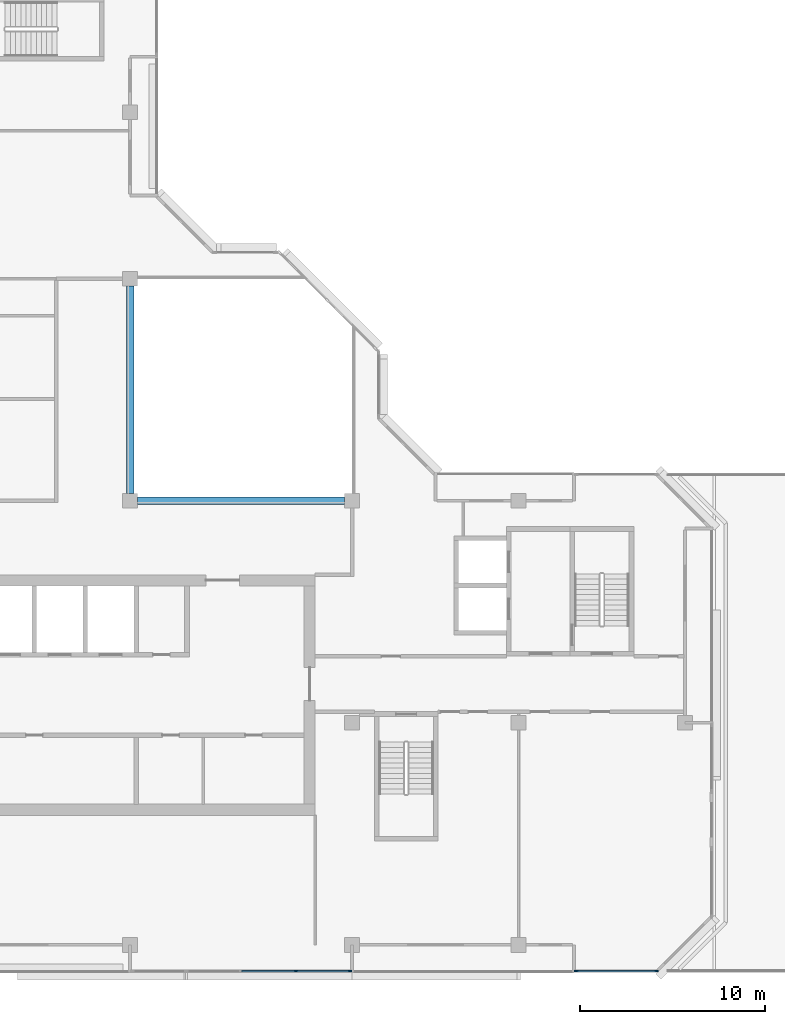
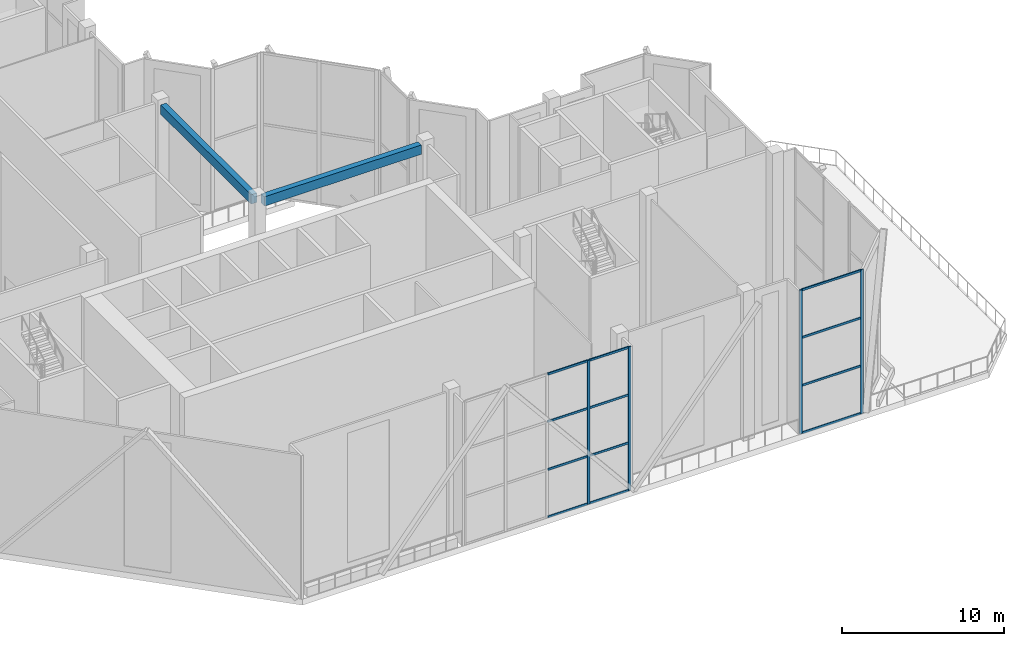
# One storey, part 3 of 16: 16 members, 2 beams, 2 elements without a shape of their own.
"""IFC4 building model written with IfcOpenShell, lengths in metres."""

from ifc_helpers import new_model, si_unit, direction, frame, origin, origin_2d, place, context, subcontext, project, spatial, rectangle, extrude, material, layer, layer_set, material_profile, profile_set, type_object, element, aggregate, save


model = new_model("IFC4")

# Units and contexts
model_context = context("Model", 3, precision=1e-05, world=origin(), true_north=direction((0.0, 1.0)))
body_context = subcontext(model_context, "Body", "Model", "MODEL_VIEW")
ifc_project = project(units=[si_unit("LENGTHUNIT", "METRE"), si_unit("AREAUNIT", "SQUARE_METRE"), si_unit("VOLUMEUNIT", "CUBIC_METRE"), si_unit("PLANEANGLEUNIT", "RADIAN"), si_unit("MASSUNIT", "GRAM", prefix="KILO")], contexts=[model_context])

# Site, building, storey
site_placement = place(None, origin())
site = spatial("IfcSite", under=ifc_project, at=site_placement, CompositionType="ELEMENT")
building_placement = place(site_placement, origin())
building = spatial("IfcBuilding", under=site, at=building_placement, Name="Chenar Terraces", CompositionType="ELEMENT")
storey_placement = place(building_placement, frame((0.0, 0.0, 327.64990234375)))
storey = spatial("IfcBuildingStorey", under=building, at=storey_placement, Name="L77", CompositionType="ELEMENT", Elevation=327.64990234375)

# Beams
ifc_material_1 = material(Name="Concrete C40/50", Category="concrete")
ifc_material_profile_1 = material_profile(ifc_material_1, rectangle(XDim=0.39990234375, YDim=0.699951171875, at=origin_2d()), Name="RC 400 x 700")
ifc_profile_set_1 = profile_set([ifc_material_profile_1], Name="Concrete C40/50")
beam_type = type_object("IfcBeamType", Name="Atrium edge beam 400 x 700 Concrete C40/50", PredefinedType="BEAM", material=ifc_profile_set_1)
for number, where, z_axis, x_axis, name in (
    (1, (24.39990234375, 24.0, 10.5), (1.0, 0.0, 0.0), (0.0, 1.0, 0.0), "Atrium edge beam L78 1"),
    (2, (24.0, 35.60009765625, 10.5), (0.0, -1.0, 0.0), (1.0, 0.0, 0.0), "Atrium edge beam L78 4"),
):
    element("IfcBeam", number, at=place(storey_placement, frame(where, z_axis=z_axis, x_axis=x_axis)), inside=storey, type_object=beam_type, Name=name, PredefinedType="BEAM", context=body_context, shape_type="SweptSolid", body=[
        extrude(rectangle(XDim=0.39990234375, YDim=0.699951171875, at=origin_2d()), origin(), (0.0, 0.0, 1.0), 11.2001953125),
    ])

# Curtain wall, members
ifc_material_2 = material(Name="Aluminium framed glazing", Category="aluminium")
ifc_layer = layer(ifc_material_2, 0.14990234375)
ifc_layer_set = layer_set([ifc_layer], Name="Aluminium framed glazing")
curtain_wall_type = type_object("IfcCurtainWallType", Name="Sky garden curtain wall", PredefinedType="NOTDEFINED", material=ifc_layer_set)
placement = place(storey_placement, origin())
curtain_wall_1 = element("IfcCurtainWall", 3, at=placement, inside=storey, type_object=curtain_wall_type, Name="Sky garden curtain wall", PredefinedType="NOTDEFINED")
ifc_material_3 = material(Name="Aluminium", Category="aluminium")
ifc_material_profile_2 = material_profile(ifc_material_3, rectangle(XDim=0.080078125, YDim=0.199951171875, at=origin_2d()), Name="Sky garden mullion 80 x 200")
ifc_profile_set_2 = profile_set([ifc_material_profile_2], Name="Aluminium")
member_type_1 = type_object("IfcMemberType", Name="Sky garden mullion 80 x 200", PredefinedType="MULLION", material=ifc_profile_set_2)
member_1_placement = place(storey_placement, frame((32.96240234375, -1.425048828125, 0.0), z_axis=(0.0, 0.0, 1.0), x_axis=(0.0, 1.0, 0.0)))
member_1 = element("IfcMember", 4, at=member_1_placement, type_object=member_type_1, Name="CW3-06 mullion 4", PredefinedType="MULLION", context=body_context, shape_type="SweptSolid", body=[
    extrude(rectangle(XDim=0.080078125, YDim=0.199951171875, at=origin_2d()), origin(), (0.0, 0.0, 1.0), 10.85009765625),
])
member_2_placement = place(storey_placement, frame((35.885009765625, -1.425048828125, 0.0), z_axis=(0.0, 0.0, 1.0), x_axis=(0.0, 1.0, 0.0)))
member_2 = element("IfcMember", 5, at=member_2_placement, type_object=member_type_1, Name="CW3-06 mullion 5", PredefinedType="MULLION", context=body_context, shape_type="SweptSolid", body=[
    extrude(rectangle(XDim=0.080078125, YDim=0.199951171875, at=origin_2d()), origin(), (0.0, 0.0, 1.0), 10.85009765625),
])

curtain_wall_2 = element("IfcCurtainWall", 6, at=placement, inside=storey, type_object=curtain_wall_type, Name="Sky garden curtain wall", PredefinedType="NOTDEFINED")
member_3_placement = place(storey_placement, frame((48.114990234375, -1.425048828125, 0.0), z_axis=(0.0, 0.0, 1.0), x_axis=(0.0, 1.0, 0.0)))
member_3 = element("IfcMember", 7, at=member_3_placement, type_object=member_type_1, Name="CW3-07 mullion 1", PredefinedType="MULLION", context=body_context, shape_type="SweptSolid", body=[
    extrude(rectangle(XDim=0.080078125, YDim=0.199951171875, at=origin_2d()), origin(), (0.0, 0.0, 1.0), 10.85009765625),
])
member_4_placement = place(storey_placement, frame((52.4599609375, -1.425048828125, 0.0), z_axis=(0.0, 0.0, 1.0), x_axis=(0.0, 1.0, 0.0)))
member_4 = element("IfcMember", 8, at=member_4_placement, type_object=member_type_1, Name="CW3-07 mullion 2", PredefinedType="MULLION", context=body_context, shape_type="SweptSolid", body=[
    extrude(rectangle(XDim=0.080078125, YDim=0.199951171875, at=origin_2d()), origin(), (0.0, 0.0, 1.0), 10.85009765625),
])

# Member
ifc_material_4 = material(Name="Aluminium", Category="aluminium")
ifc_material_profile_3 = material_profile(ifc_material_4, rectangle(XDim=0.080078125, YDim=0.159912109375, at=origin_2d()), Name="Sky garden transom 80 x 160")
ifc_profile_set_3 = profile_set([ifc_material_profile_3], Name="Aluminium")
member_type_2 = type_object("IfcMemberType", Name="Sky garden transom 80 x 160", PredefinedType="USERDEFINED", material=ifc_profile_set_3)
member_5_placement = place(storey_placement, frame((30.0400390625, -1.425048828125, 0.0400390625), z_axis=(1.0, 0.0, 0.0), x_axis=(0.0, 1.0, 0.0)))
member_5 = element("IfcMember", 9, at=member_5_placement, type_object=member_type_2, Name="CW3-06 transom 3.1", ObjectType="TRANSOM", PredefinedType="USERDEFINED", context=body_context, shape_type="SweptSolid", body=[
    extrude(rectangle(XDim=0.080078125, YDim=0.159912109375, at=origin_2d()), origin(), (0.0, 0.0, 1.0), 2.882568359375),
])

member_6_placement = place(storey_placement, frame((30.0400390625, -1.425048828125, 3.6171875), z_axis=(1.0, 0.0, 0.0), x_axis=(0.0, 1.0, 0.0)))
member_6 = element("IfcMember", 10, at=member_6_placement, type_object=member_type_2, Name="CW3-06 transom 3.2", ObjectType="TRANSOM", PredefinedType="USERDEFINED", context=body_context, shape_type="SweptSolid", body=[
    extrude(rectangle(XDim=0.080078125, YDim=0.159912109375, at=origin_2d()), origin(), (0.0, 0.0, 1.0), 2.882568359375),
])

member_7_placement = place(storey_placement, frame((30.0400390625, -1.425048828125, 7.233154296875), z_axis=(1.0, 0.0, 0.0), x_axis=(0.0, 1.0, 0.0)))
member_7 = element("IfcMember", 11, at=member_7_placement, type_object=member_type_2, Name="CW3-06 transom 3.3", ObjectType="TRANSOM", PredefinedType="USERDEFINED", context=body_context, shape_type="SweptSolid", body=[
    extrude(rectangle(XDim=0.080078125, YDim=0.159912109375, at=origin_2d()), origin(), (0.0, 0.0, 1.0), 2.882568359375),
])

member_8_placement = place(storey_placement, frame((30.0400390625, -1.425048828125, 10.81005859375), z_axis=(1.0, 0.0, 0.0), x_axis=(0.0, 1.0, 0.0)))
member_8 = element("IfcMember", 12, at=member_8_placement, type_object=member_type_2, Name="CW3-06 transom 3.4", ObjectType="TRANSOM", PredefinedType="USERDEFINED", context=body_context, shape_type="SweptSolid", body=[
    extrude(rectangle(XDim=0.080078125, YDim=0.159912109375, at=origin_2d()), origin(), (0.0, 0.0, 1.0), 2.882568359375),
])

member_9_placement = place(storey_placement, frame((33.00244140625, -1.425048828125, 0.0400390625), z_axis=(1.0, 0.0, 0.0), x_axis=(0.0, 1.0, 0.0)))
member_9 = element("IfcMember", 13, at=member_9_placement, type_object=member_type_2, Name="CW3-06 transom 4.1", ObjectType="TRANSOM", PredefinedType="USERDEFINED", context=body_context, shape_type="SweptSolid", body=[
    extrude(rectangle(XDim=0.080078125, YDim=0.159912109375, at=origin_2d()), origin(), (0.0, 0.0, 1.0), 2.842529296875),
])

member_10_placement = place(storey_placement, frame((33.00244140625, -1.425048828125, 3.6171875), z_axis=(1.0, 0.0, 0.0), x_axis=(0.0, 1.0, 0.0)))
member_10 = element("IfcMember", 14, at=member_10_placement, type_object=member_type_2, Name="CW3-06 transom 4.2", ObjectType="TRANSOM", PredefinedType="USERDEFINED", context=body_context, shape_type="SweptSolid", body=[
    extrude(rectangle(XDim=0.080078125, YDim=0.159912109375, at=origin_2d()), origin(), (0.0, 0.0, 1.0), 2.842529296875),
])

member_11_placement = place(storey_placement, frame((33.00244140625, -1.425048828125, 7.233154296875), z_axis=(1.0, 0.0, 0.0), x_axis=(0.0, 1.0, 0.0)))
member_11 = element("IfcMember", 15, at=member_11_placement, type_object=member_type_2, Name="CW3-06 transom 4.3", ObjectType="TRANSOM", PredefinedType="USERDEFINED", context=body_context, shape_type="SweptSolid", body=[
    extrude(rectangle(XDim=0.080078125, YDim=0.159912109375, at=origin_2d()), origin(), (0.0, 0.0, 1.0), 2.842529296875),
])

member_12_placement = place(storey_placement, frame((33.00244140625, -1.425048828125, 10.81005859375), z_axis=(1.0, 0.0, 0.0), x_axis=(0.0, 1.0, 0.0)))
member_12 = element("IfcMember", 16, at=member_12_placement, type_object=member_type_2, Name="CW3-06 transom 4.4", ObjectType="TRANSOM", PredefinedType="USERDEFINED", context=body_context, shape_type="SweptSolid", body=[
    extrude(rectangle(XDim=0.080078125, YDim=0.159912109375, at=origin_2d()), origin(), (0.0, 0.0, 1.0), 2.842529296875),
])

aggregate(curtain_wall_1, [member_1, member_2, member_5, member_6, member_7, member_8, member_9, member_10, member_11, member_12])

member_13_placement = place(storey_placement, frame((48.155029296875, -1.425048828125, 0.0400390625), z_axis=(1.0, 0.0, 0.0), x_axis=(0.0, 1.0, 0.0)))
member_13 = element("IfcMember", 17, at=member_13_placement, type_object=member_type_2, Name="CW3-07 transom 1.1", ObjectType="TRANSOM", PredefinedType="USERDEFINED", context=body_context, shape_type="SweptSolid", body=[
    extrude(rectangle(XDim=0.080078125, YDim=0.159912109375, at=origin_2d()), origin(), (0.0, 0.0, 1.0), 4.264892578125),
])

member_14_placement = place(storey_placement, frame((48.155029296875, -1.425048828125, 3.6171875), z_axis=(1.0, 0.0, 0.0), x_axis=(0.0, 1.0, 0.0)))
member_14 = element("IfcMember", 18, at=member_14_placement, type_object=member_type_2, Name="CW3-07 transom 1.2", ObjectType="TRANSOM", PredefinedType="USERDEFINED", context=body_context, shape_type="SweptSolid", body=[
    extrude(rectangle(XDim=0.080078125, YDim=0.159912109375, at=origin_2d()), origin(), (0.0, 0.0, 1.0), 4.264892578125),
])

member_15_placement = place(storey_placement, frame((48.155029296875, -1.425048828125, 7.233154296875), z_axis=(1.0, 0.0, 0.0), x_axis=(0.0, 1.0, 0.0)))
member_15 = element("IfcMember", 19, at=member_15_placement, type_object=member_type_2, Name="CW3-07 transom 1.3", ObjectType="TRANSOM", PredefinedType="USERDEFINED", context=body_context, shape_type="SweptSolid", body=[
    extrude(rectangle(XDim=0.080078125, YDim=0.159912109375, at=origin_2d()), origin(), (0.0, 0.0, 1.0), 4.264892578125),
])

member_16_placement = place(storey_placement, frame((48.155029296875, -1.425048828125, 10.81005859375), z_axis=(1.0, 0.0, 0.0), x_axis=(0.0, 1.0, 0.0)))
member_16 = element("IfcMember", 20, at=member_16_placement, type_object=member_type_2, Name="CW3-07 transom 1.4", ObjectType="TRANSOM", PredefinedType="USERDEFINED", context=body_context, shape_type="SweptSolid", body=[
    extrude(rectangle(XDim=0.080078125, YDim=0.159912109375, at=origin_2d()), origin(), (0.0, 0.0, 1.0), 4.264892578125),
])

aggregate(curtain_wall_2, [member_3, member_4, member_13, member_14, member_15, member_16])

save(model, "model.ifc")
